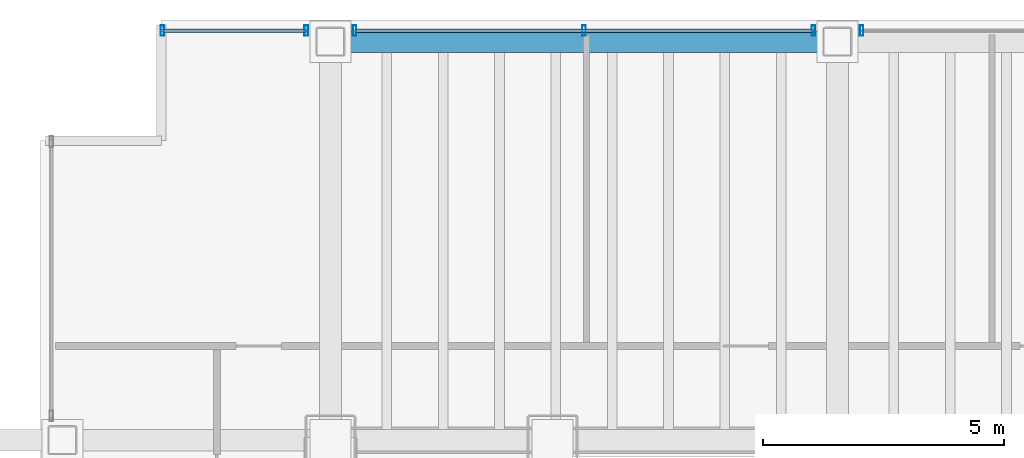
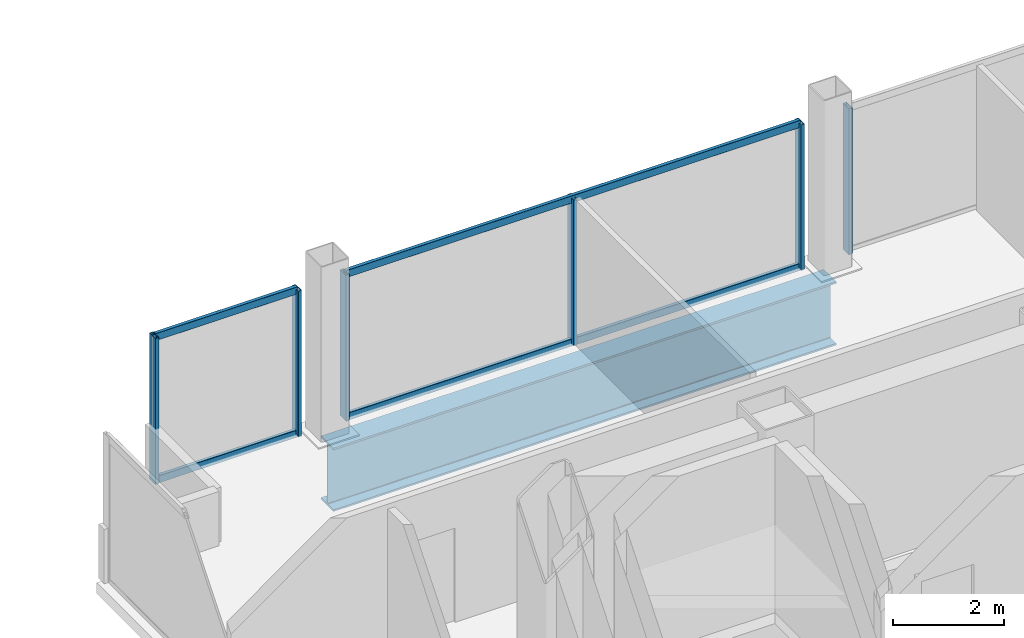
# One storey, part 16 of 23: 10 members, 1 beam, 3 elements without a shape of their own.
"""IFC4 building model written with IfcOpenShell, lengths in metres."""

import ifcopenshell
import ifcopenshell.guid

model = None  # the IFC model being written
_history = None  # IfcOwnerHistory: only IFC2X3 demands one
_inside = {}  # id of a spatial element -> (the spatial element, [elements in it])
_under = {}  # id of a project, library or spatial element -> (it, [spatial elements below it])
_declared = {}  # id of a project -> (the project, [libraries it declares])
_typed = {}  # id of a type object -> (the type object, [elements of that type])
_made_of = {}  # id of a material, layer set ... -> (it, [elements and type objects made of it])


def new_model(schema):
    """Start an empty IFC model of exactly this schema.

    Asked for "IFC4X3", IfcOpenShell would pick the latest addendum, in which some entities
    have other attributes; the version numbers below select the first issue.
    IFC2X3 requires an IfcOwnerHistory on every rooted entity: one is made here for all.
    """
    global model, _history
    if schema == "IFC4X3":
        model = ifcopenshell.file(schema_version=(4, 3, 0, 0))
    else:
        model = ifcopenshell.file(schema=schema)
    _inside.clear()
    _under.clear()
    _declared.clear()
    _typed.clear()
    _made_of.clear()
    _history = None
    if model.schema == "IFC2X3":
        org = make("IfcOrganization", Name="unknown")
        user = make(
            "IfcPersonAndOrganization",
            ThePerson=make("IfcPerson", FamilyName="unknown"),
            TheOrganization=org,
        )
        app = make(
            "IfcApplication",
            ApplicationDeveloper=org,
            Version="unknown",
            ApplicationFullName="unknown",
            ApplicationIdentifier="unknown",
        )
        _history = make(
            "IfcOwnerHistory",
            OwningUser=user,
            OwningApplication=app,
            ChangeAction="ADDED",
            CreationDate=0,
        )
    return model


def make(cls, **values):
    """One entity of the class cls with the attributes given. An attribute that is None is left unset."""
    return model.create_entity(
        cls, **{name: value for name, value in values.items() if value is not None}
    )


def rooted(cls, **values):
    """An entity with a GlobalId (a new one), such as an element, a storey or a relation."""
    return make(cls, GlobalId=ifcopenshell.guid.new(), OwnerHistory=_history, **values)


def si_unit(unit_type, name, prefix=None):
    """IfcSIUnit, for example si_unit("LENGTHUNIT", "METRE", prefix="MILLI")."""
    return make("IfcSIUnit", UnitType=unit_type, Prefix=prefix, Name=name)


def assignment(units):
    """IfcUnitAssignment: the units of a project."""
    return None if units is None else make("IfcUnitAssignment", Units=units)


def point(xyz):
    """IfcCartesianPoint."""
    return None if xyz is None else make("IfcCartesianPoint", Coordinates=xyz)


def direction(xyz):
    """IfcDirection."""
    return None if xyz is None else make("IfcDirection", DirectionRatios=xyz)


def frame(location, z_axis=None, x_axis=None):
    """IfcAxis2Placement3D, a coordinate frame: its origin and axes. An axis left out is left unset."""
    return make(
        "IfcAxis2Placement3D",
        Location=point(location),
        Axis=direction(z_axis),
        RefDirection=direction(x_axis),
    )


def frame_2d(location, x_axis=None):
    """IfcAxis2Placement2D, a coordinate frame in the plane: its origin and x axis."""
    return make(
        "IfcAxis2Placement2D", Location=point(location), RefDirection=direction(x_axis)
    )


def origin():
    """The frame at (0, 0, 0) with its axes left unset."""
    return frame((0.0, 0.0, 0.0))


def origin_2d():
    """The frame at (0, 0) in the plane with its x axis left unset."""
    return frame_2d((0.0, 0.0))


def place(relative_to, where):
    """IfcLocalPlacement: puts the frame where relative to a parent placement (None: the world)."""
    return make(
        "IfcLocalPlacement", PlacementRelTo=relative_to, RelativePlacement=where
    )


def context(
    kind, dimensions, precision=None, world=None, true_north=None, identifier=None
):
    """IfcGeometricRepresentationContext, for example the 3D "Model" context."""
    return make(
        "IfcGeometricRepresentationContext",
        ContextIdentifier=identifier,
        ContextType=kind,
        CoordinateSpaceDimension=dimensions,
        Precision=precision,
        WorldCoordinateSystem=world,
        TrueNorth=true_north,
    )


def subcontext(parent, identifier, kind, view, scale=None):
    """IfcGeometricRepresentationSubContext, for example "Body" below "Model"."""
    return make(
        "IfcGeometricRepresentationSubContext",
        ContextIdentifier=identifier,
        ContextType=kind,
        ParentContext=parent,
        TargetScale=scale,
        TargetView=view,
    )


def project(units=None, contexts=None):
    """IfcProject with its units and contexts."""
    return rooted(
        "IfcProject",
        Name="project",
        RepresentationContexts=contexts,
        UnitsInContext=assignment(units),
    )


def spatial(cls, under=None, at=None, **own):
    """A site, building, storey or space (cls), placed at a placement, below another one or the project."""
    s = rooted(cls, ObjectPlacement=at, **own)
    if under is not None:
        _under.setdefault(under.id(), (under, []))[1].append(s)
    return s


def profile(cls, at=None, kind="AREA", **sizes):
    """A parametric profile (cls). Its sizes go by their IFC names, for example OverallWidth=200.0."""
    return make(cls, ProfileType=kind, Position=at, **sizes)


def hollow_rectangle(**sizes):
    """IfcRectangleHollowProfileDef."""
    return profile("IfcRectangleHollowProfileDef", **sizes)


def i_section(**sizes):
    """IfcIShapeProfileDef."""
    return profile("IfcIShapeProfileDef", **sizes)


def extrude(swept, where, along, depth):
    """IfcExtrudedAreaSolid: the profile swept, set in the frame where, extruded along a direction by depth."""
    return make(
        "IfcExtrudedAreaSolid",
        SweptArea=swept,
        Position=where,
        ExtrudedDirection=direction(along),
        Depth=depth,
    )


def shape(context_of_items, identifier, shape_type, items):
    """IfcShapeRepresentation: the items that make up one representation, for example the "Body"."""
    return make(
        "IfcShapeRepresentation",
        ContextOfItems=context_of_items,
        RepresentationIdentifier=identifier,
        RepresentationType=shape_type,
        Items=items,
    )


def material(Name=None, Category=None):
    """IfcMaterial."""
    return make("IfcMaterial", Name=Name, Category=Category)


def material_profile(
    of_material, cross_section, Name=None, Category=None, Priority=None
):
    """IfcMaterialProfile: a cross section and its material."""
    return make(
        "IfcMaterialProfile",
        Name=Name,
        Material=of_material,
        Profile=cross_section,
        Priority=Priority,
        Category=Category,
    )


def profile_set(profiles, Name=None, composite=None):
    """IfcMaterialProfileSet."""
    return make(
        "IfcMaterialProfileSet",
        Name=Name,
        MaterialProfiles=profiles,
        CompositeProfile=composite,
    )


def made_of(thing, what):
    """Note that an element or type object is made of a material, layer set ...; save() writes the relation."""
    if what is not None:
        _made_of.setdefault(what.id(), (what, []))[1].append(thing)
    return thing


def type_object(cls, material=None, **own):
    """A type object (cls), such as IfcWallType, which elements share."""
    return made_of(rooted(cls, **own), material)


def element(
    cls,
    number,
    at=None,
    inside=None,
    cuts=None,
    type_object=None,
    material=None,
    context=None,
    identifier="Body",
    shape_type=None,
    held_by="IfcProductDefinitionShape",
    body=None,
    shapes=None,
    **own,
):
    """One element of the class cls, such as IfcWall. Its Tag is "e" and its number.

    at: its placement. inside: the storey or other place that contains it. cuts: it is an
    opening in that element (IfcRelVoidsElement). A single representation is given by context,
    identifier, shape_type and body (its items); several are given by shapes. held_by: the class
    of the entity that holds the representations. save() writes the other relations.
    """
    e = rooted(cls, Tag="e%d" % number, ObjectPlacement=at, **own)
    if body is not None:
        shapes = [shape(context, identifier, shape_type, body)]
    if shapes is not None:
        e.Representation = make(held_by, Representations=shapes)
    if inside is not None:
        _inside.setdefault(inside.id(), (inside, []))[1].append(e)
    if cuts is not None:
        rooted(
            "IfcRelVoidsElement", RelatingBuildingElement=cuts, RelatedOpeningElement=e
        )
    if type_object is not None:
        _typed.setdefault(type_object.id(), (type_object, []))[1].append(e)
    return made_of(e, material)


def aggregate(whole, parts):
    """IfcRelAggregates: a whole, such as a stair, and the parts it consists of."""
    return rooted("IfcRelAggregates", RelatingObject=whole, RelatedObjects=parts)


def save(model, path):
    """Write the relations noted so far, then the file.

    IfcRelAggregates (storeys below a building ...), IfcRelContainedInSpatialStructure (elements
    in a storey), IfcRelDefinesByType, IfcRelAssociatesMaterial and IfcRelDeclares: one each for
    every whole, place, type object, material and project.
    """
    for whole, parts in _under.values():
        aggregate(whole, parts)
    for where, things in _inside.values():
        rooted(
            "IfcRelContainedInSpatialStructure",
            RelatedElements=things,
            RelatingStructure=where,
        )
    for kind, things in _typed.values():
        rooted("IfcRelDefinesByType", RelatedObjects=things, RelatingType=kind)
    for what, things in _made_of.values():
        rooted("IfcRelAssociatesMaterial", RelatedObjects=things, RelatingMaterial=what)
    for by, libraries in _declared.values():
        rooted("IfcRelDeclares", RelatingContext=by, RelatedDefinitions=libraries)
    model.write(path)


model = new_model("IFC4")

# Units and contexts
model_context = context("Model", 3, precision=1e-05, world=origin(), true_north=direction((0.0, 1.0)))
body_context = subcontext(model_context, "Body", "Model", "MODEL_VIEW")
ifc_project = project(units=[si_unit("LENGTHUNIT", "METRE"), si_unit("AREAUNIT", "SQUARE_METRE"), si_unit("VOLUMEUNIT", "CUBIC_METRE"), si_unit("PLANEANGLEUNIT", "RADIAN"), si_unit("MASSUNIT", "GRAM", prefix="KILO")], contexts=[model_context])

# Site, building, storey
site_placement = place(None, origin())
site = spatial("IfcSite", under=ifc_project, at=site_placement, CompositionType="ELEMENT")
building_placement = place(site_placement, origin())
building = spatial("IfcBuilding", under=site, at=building_placement, Name="Noeulbin Bourse Tower", CompositionType="ELEMENT")
storey_placement = place(building_placement, frame((0.0, 0.0, 53.800048828125)))
storey = spatial("IfcBuildingStorey", under=building, at=storey_placement, Name="L13", CompositionType="ELEMENT", Elevation=53.800048828125)

# Beam
ifc_material_1 = material(Name="Steel S460", Category="steel")
ifc_material_profile_1 = material_profile(ifc_material_1, i_section(OverallWidth=0.449951171875, OverallDepth=1.39990234375, WebThickness=0.02392578125, FlangeThickness=0.0400390625, FilletRadius=0.02392578125, at=origin_2d()), Name="PG-1400x450x24x40", Category="LoadBearing")
ifc_profile_set_1 = profile_set([ifc_material_profile_1], Name="Steel S460")
beam_type = type_object("IfcBeamType", Name="BM-TRF-1400", PredefinedType="USERDEFINED", material=ifc_profile_set_1)
beam_placement = place(storey_placement, frame((13.5, 46.550048828125, -0.93994140625), z_axis=(1.0, 0.0, 0.0), x_axis=(0.0, 1.0, 0.0)))
element("IfcBeam", 1, at=beam_placement, inside=storey, type_object=beam_type, Name="North Spandrel L13-1", ObjectType="GIRDER", PredefinedType="USERDEFINED", context=body_context, shape_type="SweptSolid", body=[
    extrude(i_section(OverallWidth=0.449951171875, OverallDepth=1.39990234375, WebThickness=0.02392578125, FlangeThickness=0.0400390625, FilletRadius=0.02392578125, at=origin_2d()), origin(), (0.0, 0.0, 1.0), 10.5),
])

# Curtain wall, members
ifc_material_2 = material(Name="Dark Solar-Control Double Glazing", Category="glass")
curtain_wall_type = type_object("IfcCurtainWallType", Name="CW-SYS-2", PredefinedType="NOTDEFINED", material=ifc_material_2)
curtain_wall_1_placement = place(storey_placement, origin())
curtain_wall_1 = element("IfcCurtainWall", 2, at=curtain_wall_1_placement, inside=storey, type_object=curtain_wall_type, Name="Unitised Curtain Wall CW-L13-N-S1", PredefinedType="NOTDEFINED")
ifc_material_3 = material(Name="Anodised Aluminium 6063-T6", Category="aluminium")
ifc_material_profile_2 = material_profile(ifc_material_3, hollow_rectangle(XDim=0.074951171875, YDim=0.219970703125, WallThickness=0.0048828125, InnerFilletRadius=0.00244140625, OuterFilletRadius=0.0048828125, at=origin_2d()), Name="ALU-MULL-75x220x5", Category="LoadBearing")
ifc_profile_set_2 = profile_set([ifc_material_profile_2], Name="Anodised Aluminium 6063-T6")
member_type_1 = type_object("IfcMemberType", Name="CW-SYS-2-MUL", PredefinedType="MULLION", material=ifc_profile_set_2)
member_1_placement = place(storey_placement, frame((10.02001953125, 46.780029296875, -0.02001953125), z_axis=(0.0, 0.0, 1.0), x_axis=(1.0, 0.0, 0.0)))
member_1 = element("IfcMember", 3, at=member_1_placement, type_object=member_type_1, Name="Curtain Wall Mullion CW-L13-N-S1-M00", PredefinedType="MULLION", context=body_context, shape_type="SweptSolid", body=[
    extrude(hollow_rectangle(XDim=0.074951171875, YDim=0.219970703125, WallThickness=0.0048828125, InnerFilletRadius=0.00244140625, OuterFilletRadius=0.0048828125, at=origin_2d()), origin(), (0.0, 0.0, 1.0), 3.219970703125),
])
member_2_placement = place(storey_placement, frame((13.0, 46.780029296875, -0.02001953125), z_axis=(0.0, 0.0, 1.0), x_axis=(1.0, 0.0, 0.0)))
member_2 = element("IfcMember", 4, at=member_2_placement, type_object=member_type_1, Name="Curtain Wall Mullion CW-L13-N-S1-M01", PredefinedType="MULLION", context=body_context, shape_type="SweptSolid", body=[
    extrude(hollow_rectangle(XDim=0.074951171875, YDim=0.219970703125, WallThickness=0.0048828125, InnerFilletRadius=0.00244140625, OuterFilletRadius=0.0048828125, at=origin_2d()), origin(), (0.0, 0.0, 1.0), 3.219970703125),
])

curtain_wall_2_placement = place(storey_placement, origin())
curtain_wall_2 = element("IfcCurtainWall", 5, at=curtain_wall_2_placement, inside=storey, type_object=curtain_wall_type, Name="Unitised Curtain Wall CW-L13-N-S2", PredefinedType="NOTDEFINED")
member_3_placement = place(storey_placement, frame((14.0, 46.780029296875, -0.02001953125), z_axis=(0.0, 0.0, 1.0), x_axis=(1.0, 0.0, 0.0)))
member_3 = element("IfcMember", 6, at=member_3_placement, type_object=member_type_1, Name="Curtain Wall Mullion CW-L13-N-S2-M00", PredefinedType="MULLION", context=body_context, shape_type="SweptSolid", body=[
    extrude(hollow_rectangle(XDim=0.074951171875, YDim=0.219970703125, WallThickness=0.0048828125, InnerFilletRadius=0.00244140625, OuterFilletRadius=0.0048828125, at=origin_2d()), origin(), (0.0, 0.0, 1.0), 3.219970703125),
])
member_4_placement = place(storey_placement, frame((18.75, 46.780029296875, -0.02001953125), z_axis=(0.0, 0.0, 1.0), x_axis=(1.0, 0.0, 0.0)))
member_4 = element("IfcMember", 7, at=member_4_placement, type_object=member_type_1, Name="Curtain Wall Mullion CW-L13-N-S2-M01", PredefinedType="MULLION", context=body_context, shape_type="SweptSolid", body=[
    extrude(hollow_rectangle(XDim=0.074951171875, YDim=0.219970703125, WallThickness=0.0048828125, InnerFilletRadius=0.00244140625, OuterFilletRadius=0.0048828125, at=origin_2d()), origin(), (0.0, 0.0, 1.0), 3.219970703125),
])
member_5_placement = place(storey_placement, frame((23.5, 46.780029296875, -0.02001953125), z_axis=(0.0, 0.0, 1.0), x_axis=(1.0, 0.0, 0.0)))
member_5 = element("IfcMember", 8, at=member_5_placement, type_object=member_type_1, Name="Curtain Wall Mullion CW-L13-N-S2-M02", PredefinedType="MULLION", context=body_context, shape_type="SweptSolid", body=[
    extrude(hollow_rectangle(XDim=0.074951171875, YDim=0.219970703125, WallThickness=0.0048828125, InnerFilletRadius=0.00244140625, OuterFilletRadius=0.0048828125, at=origin_2d()), origin(), (0.0, 0.0, 1.0), 3.219970703125),
])

# Curtain wall, member
curtain_wall_3_placement = place(storey_placement, origin())
curtain_wall_3 = element("IfcCurtainWall", 9, at=curtain_wall_3_placement, inside=storey, type_object=curtain_wall_type, Name="Unitised Curtain Wall CW-L13-N-S3", PredefinedType="NOTDEFINED")
member_6_placement = place(storey_placement, frame((24.5, 46.780029296875, -0.02001953125), z_axis=(0.0, 0.0, 1.0), x_axis=(1.0, 0.0, 0.0)))
member_6 = element("IfcMember", 10, at=member_6_placement, type_object=member_type_1, Name="Curtain Wall Mullion CW-L13-N-S3-M00", PredefinedType="MULLION", context=body_context, shape_type="SweptSolid", body=[
    extrude(hollow_rectangle(XDim=0.074951171875, YDim=0.219970703125, WallThickness=0.0048828125, InnerFilletRadius=0.00244140625, OuterFilletRadius=0.0048828125, at=origin_2d()), origin(), (0.0, 0.0, 1.0), 3.219970703125),
])
aggregate(curtain_wall_3, [member_6])

# Member
ifc_material_profile_3 = material_profile(ifc_material_3, hollow_rectangle(XDim=0.074951171875, YDim=0.159912109375, WallThickness=0.0048828125, InnerFilletRadius=0.00244140625, OuterFilletRadius=0.0048828125, at=origin_2d()), Name="ALU-TRAN-75x160x5", Category="LoadBearing")
ifc_profile_set_3 = profile_set([ifc_material_profile_3], Name="Anodised Aluminium 6063-T6")
member_type_2 = type_object("IfcMemberType", Name="CW-SYS-2-TRN", PredefinedType="USERDEFINED", material=ifc_profile_set_3)
member_7_placement = place(storey_placement, frame((10.030029296875, 46.780029296875, 0.010009765625), z_axis=(1.0, 0.0, 0.0), x_axis=(0.0, 1.0, 0.0)))
member_7 = element("IfcMember", 11, at=member_7_placement, type_object=member_type_2, Name="Curtain Wall Transom CW-L13-N-S1-T00", ObjectType="TRANSOM", PredefinedType="USERDEFINED", context=body_context, shape_type="SweptSolid", body=[
    extrude(hollow_rectangle(XDim=0.074951171875, YDim=0.159912109375, WallThickness=0.0048828125, InnerFilletRadius=0.00244140625, OuterFilletRadius=0.0048828125, at=origin_2d()), origin(), (0.0, 0.0, 1.0), 2.9599609375),
])

member_8_placement = place(storey_placement, frame((10.030029296875, 46.780029296875, 3.169921875), z_axis=(1.0, 0.0, 0.0), x_axis=(0.0, 1.0, 0.0)))
member_8 = element("IfcMember", 12, at=member_8_placement, type_object=member_type_2, Name="Curtain Wall Transom CW-L13-N-S1-T01", ObjectType="TRANSOM", PredefinedType="USERDEFINED", context=body_context, shape_type="SweptSolid", body=[
    extrude(hollow_rectangle(XDim=0.074951171875, YDim=0.159912109375, WallThickness=0.0048828125, InnerFilletRadius=0.00244140625, OuterFilletRadius=0.0048828125, at=origin_2d()), origin(), (0.0, 0.0, 1.0), 2.9599609375),
])

aggregate(curtain_wall_1, [member_1, member_2, member_7, member_8])

member_9_placement = place(storey_placement, frame((14.010009765625, 46.780029296875, 0.010009765625), z_axis=(1.0, 0.0, 0.0), x_axis=(0.0, 1.0, 0.0)))
member_9 = element("IfcMember", 13, at=member_9_placement, type_object=member_type_2, Name="Curtain Wall Transom CW-L13-N-S2-T00", ObjectType="TRANSOM", PredefinedType="USERDEFINED", context=body_context, shape_type="SweptSolid", body=[
    extrude(hollow_rectangle(XDim=0.074951171875, YDim=0.159912109375, WallThickness=0.0048828125, InnerFilletRadius=0.00244140625, OuterFilletRadius=0.0048828125, at=origin_2d()), origin(), (0.0, 0.0, 1.0), 9.47998046875),
])

member_10_placement = place(storey_placement, frame((14.010009765625, 46.780029296875, 3.169921875), z_axis=(1.0, 0.0, 0.0), x_axis=(0.0, 1.0, 0.0)))
member_10 = element("IfcMember", 14, at=member_10_placement, type_object=member_type_2, Name="Curtain Wall Transom CW-L13-N-S2-T01", ObjectType="TRANSOM", PredefinedType="USERDEFINED", context=body_context, shape_type="SweptSolid", body=[
    extrude(hollow_rectangle(XDim=0.074951171875, YDim=0.159912109375, WallThickness=0.0048828125, InnerFilletRadius=0.00244140625, OuterFilletRadius=0.0048828125, at=origin_2d()), origin(), (0.0, 0.0, 1.0), 9.47998046875),
])

aggregate(curtain_wall_2, [member_3, member_4, member_5, member_9, member_10])

save(model, "model.ifc")
